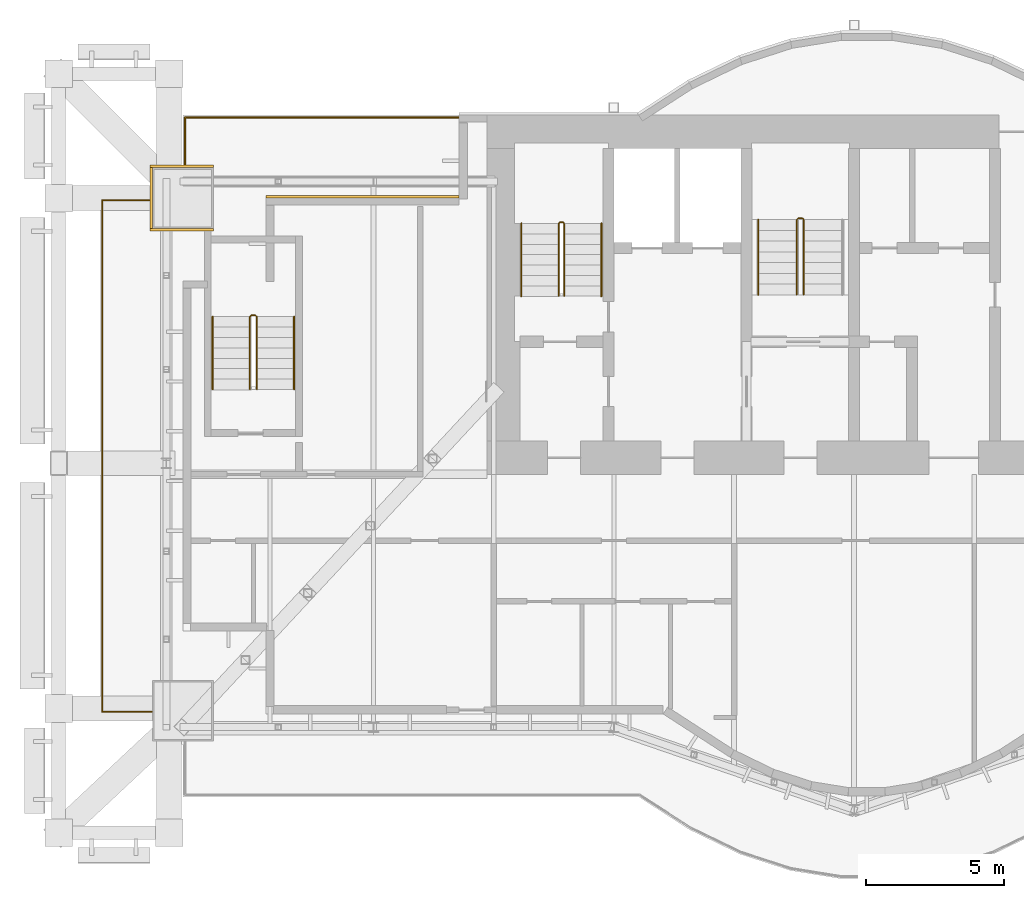
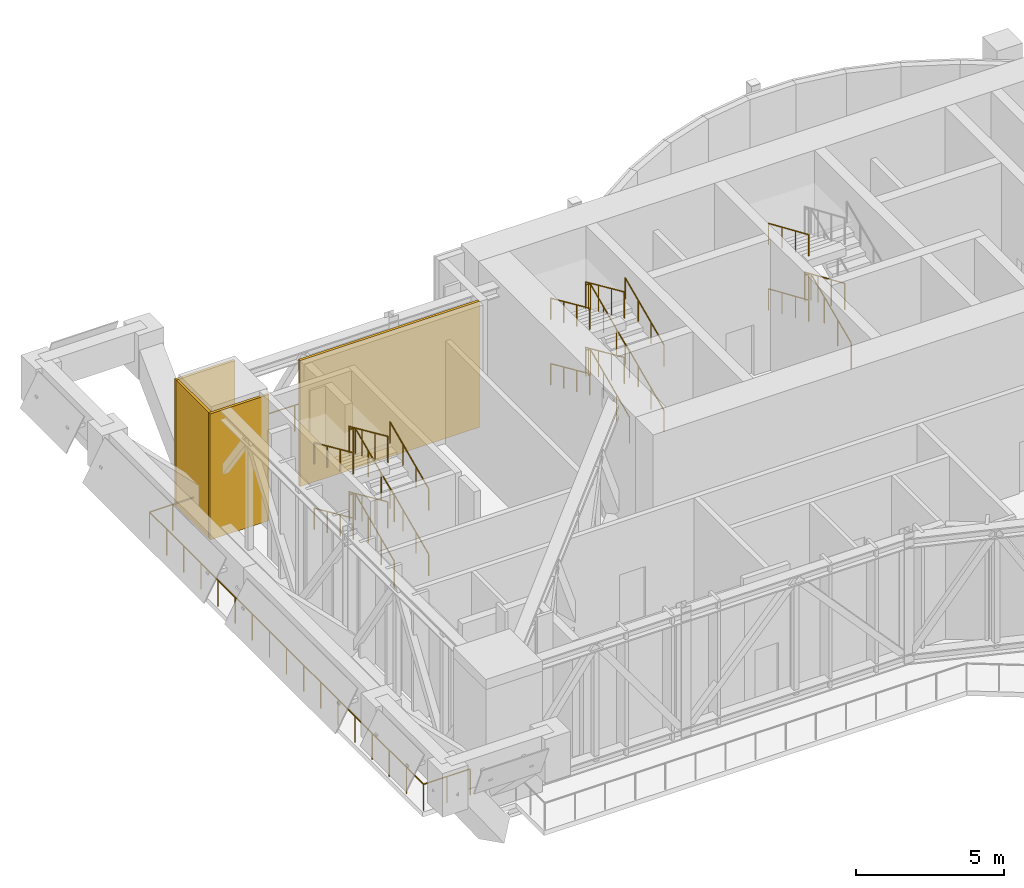
# One storey, part 18 of 20: 17 railings, 4 coverings.
"""IFC4 building model written with IfcOpenShell, lengths in metres."""

import ifcopenshell
import ifcopenshell.guid

model = None  # the IFC model being written
_history = None  # IfcOwnerHistory: only IFC2X3 demands one
_inside = {}  # id of a spatial element -> (the spatial element, [elements in it])
_under = {}  # id of a project, library or spatial element -> (it, [spatial elements below it])
_declared = {}  # id of a project -> (the project, [libraries it declares])
_typed = {}  # id of a type object -> (the type object, [elements of that type])
_made_of = {}  # id of a material, layer set ... -> (it, [elements and type objects made of it])


def new_model(schema):
    """Start an empty IFC model of exactly this schema.

    Asked for "IFC4X3", IfcOpenShell would pick the latest addendum, in which some entities
    have other attributes; the version numbers below select the first issue.
    IFC2X3 requires an IfcOwnerHistory on every rooted entity: one is made here for all.
    """
    global model, _history
    if schema == "IFC4X3":
        model = ifcopenshell.file(schema_version=(4, 3, 0, 0))
    else:
        model = ifcopenshell.file(schema=schema)
    _inside.clear()
    _under.clear()
    _declared.clear()
    _typed.clear()
    _made_of.clear()
    _history = None
    if model.schema == "IFC2X3":
        org = make("IfcOrganization", Name="unknown")
        user = make(
            "IfcPersonAndOrganization",
            ThePerson=make("IfcPerson", FamilyName="unknown"),
            TheOrganization=org,
        )
        app = make(
            "IfcApplication",
            ApplicationDeveloper=org,
            Version="unknown",
            ApplicationFullName="unknown",
            ApplicationIdentifier="unknown",
        )
        _history = make(
            "IfcOwnerHistory",
            OwningUser=user,
            OwningApplication=app,
            ChangeAction="ADDED",
            CreationDate=0,
        )
    return model


def make(cls, **values):
    """One entity of the class cls with the attributes given. An attribute that is None is left unset."""
    return model.create_entity(
        cls, **{name: value for name, value in values.items() if value is not None}
    )


def rooted(cls, **values):
    """An entity with a GlobalId (a new one), such as an element, a storey or a relation."""
    return make(cls, GlobalId=ifcopenshell.guid.new(), OwnerHistory=_history, **values)


def si_unit(unit_type, name, prefix=None):
    """IfcSIUnit, for example si_unit("LENGTHUNIT", "METRE", prefix="MILLI")."""
    return make("IfcSIUnit", UnitType=unit_type, Prefix=prefix, Name=name)


def assignment(units):
    """IfcUnitAssignment: the units of a project."""
    return None if units is None else make("IfcUnitAssignment", Units=units)


def point(xyz):
    """IfcCartesianPoint."""
    return None if xyz is None else make("IfcCartesianPoint", Coordinates=xyz)


def direction(xyz):
    """IfcDirection."""
    return None if xyz is None else make("IfcDirection", DirectionRatios=xyz)


def frame(location, z_axis=None, x_axis=None):
    """IfcAxis2Placement3D, a coordinate frame: its origin and axes. An axis left out is left unset."""
    return make(
        "IfcAxis2Placement3D",
        Location=point(location),
        Axis=direction(z_axis),
        RefDirection=direction(x_axis),
    )


def frame_2d(location, x_axis=None):
    """IfcAxis2Placement2D, a coordinate frame in the plane: its origin and x axis."""
    return make(
        "IfcAxis2Placement2D", Location=point(location), RefDirection=direction(x_axis)
    )


def origin():
    """The frame at (0, 0, 0) with its axes left unset."""
    return frame((0.0, 0.0, 0.0))


def origin_2d():
    """The frame at (0, 0) in the plane with its x axis left unset."""
    return frame_2d((0.0, 0.0))


def place(relative_to, where):
    """IfcLocalPlacement: puts the frame where relative to a parent placement (None: the world)."""
    return make(
        "IfcLocalPlacement", PlacementRelTo=relative_to, RelativePlacement=where
    )


def context(
    kind, dimensions, precision=None, world=None, true_north=None, identifier=None
):
    """IfcGeometricRepresentationContext, for example the 3D "Model" context."""
    return make(
        "IfcGeometricRepresentationContext",
        ContextIdentifier=identifier,
        ContextType=kind,
        CoordinateSpaceDimension=dimensions,
        Precision=precision,
        WorldCoordinateSystem=world,
        TrueNorth=true_north,
    )


def subcontext(parent, identifier, kind, view, scale=None):
    """IfcGeometricRepresentationSubContext, for example "Body" below "Model"."""
    return make(
        "IfcGeometricRepresentationSubContext",
        ContextIdentifier=identifier,
        ContextType=kind,
        ParentContext=parent,
        TargetScale=scale,
        TargetView=view,
    )


def project(units=None, contexts=None):
    """IfcProject with its units and contexts."""
    return rooted(
        "IfcProject",
        Name="project",
        RepresentationContexts=contexts,
        UnitsInContext=assignment(units),
    )


def spatial(cls, under=None, at=None, **own):
    """A site, building, storey or space (cls), placed at a placement, below another one or the project."""
    s = rooted(cls, ObjectPlacement=at, **own)
    if under is not None:
        _under.setdefault(under.id(), (under, []))[1].append(s)
    return s


def profile(cls, at=None, kind="AREA", **sizes):
    """A parametric profile (cls). Its sizes go by their IFC names, for example OverallWidth=200.0."""
    return make(cls, ProfileType=kind, Position=at, **sizes)


def rectangle(**sizes):
    """IfcRectangleProfileDef."""
    return profile("IfcRectangleProfileDef", **sizes)


def circle(**sizes):
    """IfcCircleProfileDef."""
    return profile("IfcCircleProfileDef", **sizes)


def extrude(swept, where, along, depth):
    """IfcExtrudedAreaSolid: the profile swept, set in the frame where, extruded along a direction by depth."""
    return make(
        "IfcExtrudedAreaSolid",
        SweptArea=swept,
        Position=where,
        ExtrudedDirection=direction(along),
        Depth=depth,
    )


def shape(context_of_items, identifier, shape_type, items):
    """IfcShapeRepresentation: the items that make up one representation, for example the "Body"."""
    return make(
        "IfcShapeRepresentation",
        ContextOfItems=context_of_items,
        RepresentationIdentifier=identifier,
        RepresentationType=shape_type,
        Items=items,
    )


def material(Name=None, Category=None):
    """IfcMaterial."""
    return make("IfcMaterial", Name=Name, Category=Category)


def layer(
    of_material, thickness, ventilated=None, Name=None, Category=None, Priority=None
):
    """IfcMaterialLayer: one layer of a wall or slab, of a material (None: an air gap)."""
    return make(
        "IfcMaterialLayer",
        Material=of_material,
        LayerThickness=thickness,
        IsVentilated=ventilated,
        Name=Name,
        Category=Category,
        Priority=Priority,
    )


def layer_set(layers, Name=None):
    """IfcMaterialLayerSet."""
    return make("IfcMaterialLayerSet", MaterialLayers=layers, LayerSetName=Name)


def made_of(thing, what):
    """Note that an element or type object is made of a material, layer set ...; save() writes the relation."""
    if what is not None:
        _made_of.setdefault(what.id(), (what, []))[1].append(thing)
    return thing


def type_object(cls, material=None, **own):
    """A type object (cls), such as IfcWallType, which elements share."""
    return made_of(rooted(cls, **own), material)


def element(
    cls,
    number,
    at=None,
    inside=None,
    cuts=None,
    type_object=None,
    material=None,
    context=None,
    identifier="Body",
    shape_type=None,
    held_by="IfcProductDefinitionShape",
    body=None,
    shapes=None,
    **own,
):
    """One element of the class cls, such as IfcWall. Its Tag is "e" and its number.

    at: its placement. inside: the storey or other place that contains it. cuts: it is an
    opening in that element (IfcRelVoidsElement). A single representation is given by context,
    identifier, shape_type and body (its items); several are given by shapes. held_by: the class
    of the entity that holds the representations. save() writes the other relations.
    """
    e = rooted(cls, Tag="e%d" % number, ObjectPlacement=at, **own)
    if body is not None:
        shapes = [shape(context, identifier, shape_type, body)]
    if shapes is not None:
        e.Representation = make(held_by, Representations=shapes)
    if inside is not None:
        _inside.setdefault(inside.id(), (inside, []))[1].append(e)
    if cuts is not None:
        rooted(
            "IfcRelVoidsElement", RelatingBuildingElement=cuts, RelatedOpeningElement=e
        )
    if type_object is not None:
        _typed.setdefault(type_object.id(), (type_object, []))[1].append(e)
    return made_of(e, material)


def aggregate(whole, parts):
    """IfcRelAggregates: a whole, such as a stair, and the parts it consists of."""
    return rooted("IfcRelAggregates", RelatingObject=whole, RelatedObjects=parts)


def save(model, path):
    """Write the relations noted so far, then the file.

    IfcRelAggregates (storeys below a building ...), IfcRelContainedInSpatialStructure (elements
    in a storey), IfcRelDefinesByType, IfcRelAssociatesMaterial and IfcRelDeclares: one each for
    every whole, place, type object, material and project.
    """
    for whole, parts in _under.values():
        aggregate(whole, parts)
    for where, things in _inside.values():
        rooted(
            "IfcRelContainedInSpatialStructure",
            RelatedElements=things,
            RelatingStructure=where,
        )
    for kind, things in _typed.values():
        rooted("IfcRelDefinesByType", RelatedObjects=things, RelatingType=kind)
    for what, things in _made_of.values():
        rooted("IfcRelAssociatesMaterial", RelatedObjects=things, RelatingMaterial=what)
    for by, libraries in _declared.values():
        rooted("IfcRelDeclares", RelatingContext=by, RelatedDefinitions=libraries)
    model.write(path)


model = new_model("IFC4")

# Units and contexts
model_context = context("Model", 3, precision=1e-05, world=origin(), true_north=direction((0.0, 1.0)))
body_context = subcontext(model_context, "Body", "Model", "MODEL_VIEW")
ifc_project = project(units=[si_unit("LENGTHUNIT", "METRE"), si_unit("AREAUNIT", "SQUARE_METRE"), si_unit("VOLUMEUNIT", "CUBIC_METRE"), si_unit("PLANEANGLEUNIT", "RADIAN"), si_unit("MASSUNIT", "GRAM", prefix="KILO")], contexts=[model_context])

# Site, building, storey
site_placement = place(None, origin())
site = spatial("IfcSite", under=ifc_project, at=site_placement, CompositionType="ELEMENT")
building_placement = place(site_placement, origin())
building = spatial("IfcBuilding", under=site, at=building_placement, Name="Bicima Exchange Tower", CompositionType="ELEMENT")
storey_placement = place(building_placement, frame((0.0, 0.0, 342.5)))
storey = spatial("IfcBuildingStorey", under=building, at=storey_placement, Name="L77", CompositionType="ELEMENT", Elevation=342.5)

# Coverings
ifc_material_1 = material(Name="Bronze metal cladding")
ifc_layer_1 = layer(ifc_material_1, 0.004)
ifc_material_2 = material(Name="Ventilated cavity")
ifc_layer_2 = layer(ifc_material_2, 0.06)
ifc_material_3 = material(Name="Galvanised steel rail and mineral wool", Category="steel")
ifc_layer_3 = layer(ifc_material_3, 0.036)
ifc_layer_set = layer_set([ifc_layer_1, ifc_layer_2, ifc_layer_3], Name="Ventilated cavity")
covering_type = type_object("IfcCoveringType", Name="Bronze metal cladding panel 100", PredefinedType="CLADDING", material=ifc_layer_set)
covering_1_placement = place(storey_placement, frame((-26.5, -2.949951171875, 0.0), z_axis=(0.0, 0.0, 1.0), x_axis=(-1.0, 0.0, 0.0)))
element("IfcCovering", 1, at=covering_1_placement, inside=storey, type_object=covering_type, Name="Bronze cladding L77 27.1", PredefinedType="CLADDING", context=body_context, shape_type="SweptSolid", body=[
    extrude(rectangle(XDim=7.0, YDim=0.10009765625, at=origin_2d()), origin(), (0.0, 0.0, 1.0), 5.199951171875),
])
for number, where, z_axis, x_axis, name in (
    (2, (-33.050048828125, -1.85009765625, 0.0), (0.0, 0.0, 1.0), (1.0, 0.0, 0.0), "Column cladding L77 1N"),
    (3, (-33.050048828125, -4.14990234375, 0.0), (0.0, 0.0, 1.0), (1.0, 0.0, 0.0), "Column cladding L77 1S"),
):
    element("IfcCovering", number, at=place(storey_placement, frame(where, z_axis=z_axis, x_axis=x_axis)), inside=storey, type_object=covering_type, Name=name, PredefinedType="CLADDING", context=body_context, shape_type="SweptSolid", body=[
        extrude(rectangle(XDim=2.300048828125, YDim=0.10009765625, at=origin_2d()), origin(), (0.0, 0.0, 1.0), 5.199951171875),
    ])
covering_2_placement = place(storey_placement, frame((-34.14990234375, -3.0, 0.0), z_axis=(0.0, 0.0, 1.0), x_axis=(1.0, 0.0, 0.0)))
element("IfcCovering", 4, at=covering_2_placement, inside=storey, type_object=covering_type, Name="Column cladding L77 1O", PredefinedType="CLADDING", context=body_context, shape_type="SweptSolid", body=[
    extrude(rectangle(XDim=0.10009765625, YDim=2.199951171875, at=origin_2d()), origin(), (0.0, 0.0, 1.0), 5.199951171875),
])

# Railings
ifc_material_4 = material(Name="Stainless steel", Category="steel")
railing_type_1 = type_object("IfcRailingType", Name="Stair guard 1100", PredefinedType="GUARDRAIL", material=ifc_material_4)
railing_1_placement = place(storey_placement, frame((-19.199951171875, -6.550048828125, 0.168701171875)))
element("IfcRailing", 5, at=railing_1_placement, inside=storey, type_object=railing_type_1, Name="L77 ST-W stair guard 1", PredefinedType="GUARDRAIL", context=body_context, shape_type="SweptSolid", body=[
    extrude(circle(Radius=0.02392578125, at=origin_2d()), frame((0.0, 0.0, 1.076171875), z_axis=(0.0, 0.912201722539, 0.409741403079), x_axis=(-1.0, 0.0, 0.0)), (0.0, 0.0, 1.0), 2.88330078125),
    extrude(circle(Radius=0.02392578125, at=origin_2d()), frame((0.0, 2.630126953125, 2.25732421875), z_axis=(-0.708833529934, 0.705375805398, 0.0), x_axis=(-0.705375805398, -0.708833529934, 0.0)), (0.0, 0.0, 1.0), 0.070556640625),
    extrude(circle(Radius=0.02392578125, at=origin_2d()), frame((-0.050048828125, 2.679931640625, 2.25732421875), z_axis=(-1.0, 0.0, 0.0), x_axis=(0.0, -1.0, 0.0)), (0.0, 0.0, 1.0), 0.10009765625),
    extrude(circle(Radius=0.02392578125, at=origin_2d()), frame((-0.150146484375, 2.679931640625, 2.25732421875), z_axis=(-0.272433089069, -0.272433089069, 0.922800316407), x_axis=(0.707106781187, -0.707106781187, 0.0)), (0.0, 0.0, 1.0), 0.182861328125),
    extrude(circle(Radius=0.02392578125, at=origin_2d()), frame((-0.199951171875, 2.630126953125, 2.42626953125), z_axis=(0.0, -0.912233369549, 0.409670940488), x_axis=(1.0, 0.0, 0.0)), (0.0, 0.0, 1.0), 2.883056640625),
    extrude(circle(Radius=0.02099609375, at=origin_2d()), origin(), (0.0, 0.0, 1.0), 1.052001953125),
    extrude(circle(Radius=0.02099609375, at=origin_2d()), frame((0.0, 0.876708984375, 0.393798828125)), (0.0, 0.0, 1.0), 1.052001953125),
    extrude(circle(Radius=0.02099609375, at=origin_2d()), frame((0.0, 1.75341796875, 0.78759765625)), (0.0, 0.0, 1.0), 1.052001953125),
    extrude(circle(Radius=0.02099609375, at=origin_2d()), frame((0.0, 2.630126953125, 1.181396484375)), (0.0, 0.0, 1.0), 1.052001953125),
    extrude(circle(Radius=0.02099609375, at=origin_2d()), frame((-0.050048828125, 2.679931640625, 1.181396484375)), (0.0, 0.0, 1.0), 1.052001953125),
    extrude(circle(Radius=0.02099609375, at=origin_2d()), frame((-0.150146484375, 2.679931640625, 1.181396484375)), (0.0, 0.0, 1.0), 1.052001953125),
    extrude(circle(Radius=0.02099609375, at=origin_2d()), frame((-0.199951171875, 2.630126953125, 1.35009765625)), (0.0, 0.0, 1.0), 1.052001953125),
    extrude(circle(Radius=0.02099609375, at=origin_2d()), frame((-0.199951171875, 1.75341796875, 1.743896484375)), (0.0, 0.0, 1.0), 1.052001953125),
    extrude(circle(Radius=0.02099609375, at=origin_2d()), frame((-0.199951171875, 0.876708984375, 2.137451171875)), (0.0, 0.0, 1.0), 1.052001953125),
    extrude(circle(Radius=0.02099609375, at=origin_2d()), frame((-0.199951171875, 0.0, 2.53125)), (0.0, 0.0, 1.0), 1.052001953125),
])
railing_2_placement = place(storey_placement, frame((-19.199951171875, -6.550048828125, 2.86865234375)))
element("IfcRailing", 6, at=railing_2_placement, inside=storey, type_object=railing_type_1, Name="L77 ST-W stair guard 2", PredefinedType="GUARDRAIL", context=body_context, shape_type="SweptSolid", body=[
    extrude(circle(Radius=0.02392578125, at=origin_2d()), frame((0.0, 0.0, 1.076171875), z_axis=(0.0, 0.912201722539, 0.409741403079), x_axis=(-1.0, 0.0, 0.0)), (0.0, 0.0, 1.0), 2.88330078125),
    extrude(circle(Radius=0.02392578125, at=origin_2d()), frame((0.0, 2.630126953125, 2.25732421875), z_axis=(-0.708833529934, 0.705375805398, 0.0), x_axis=(-0.705375805398, -0.708833529934, 0.0)), (0.0, 0.0, 1.0), 0.070556640625),
    extrude(circle(Radius=0.02392578125, at=origin_2d()), frame((-0.050048828125, 2.679931640625, 2.25732421875), z_axis=(-1.0, 0.0, 0.0), x_axis=(0.0, -1.0, 0.0)), (0.0, 0.0, 1.0), 0.10009765625),
    extrude(circle(Radius=0.02392578125, at=origin_2d()), frame((-0.150146484375, 2.679931640625, 2.25732421875), z_axis=(-0.272433089069, -0.272433089069, 0.922800316407), x_axis=(0.707106781187, -0.707106781187, 0.0)), (0.0, 0.0, 1.0), 0.182861328125),
    extrude(circle(Radius=0.02392578125, at=origin_2d()), frame((-0.199951171875, 2.630126953125, 2.42626953125), z_axis=(0.0, -0.912233369549, 0.409670940488), x_axis=(1.0, 0.0, 0.0)), (0.0, 0.0, 1.0), 2.883056640625),
    extrude(circle(Radius=0.02099609375, at=origin_2d()), origin(), (0.0, 0.0, 1.0), 1.052001953125),
    extrude(circle(Radius=0.02099609375, at=origin_2d()), frame((0.0, 0.876708984375, 0.393798828125)), (0.0, 0.0, 1.0), 1.052001953125),
    extrude(circle(Radius=0.02099609375, at=origin_2d()), frame((0.0, 1.75341796875, 0.78759765625)), (0.0, 0.0, 1.0), 1.052001953125),
    extrude(circle(Radius=0.02099609375, at=origin_2d()), frame((0.0, 2.630126953125, 1.181396484375)), (0.0, 0.0, 1.0), 1.052001953125),
    extrude(circle(Radius=0.02099609375, at=origin_2d()), frame((-0.050048828125, 2.679931640625, 1.181396484375)), (0.0, 0.0, 1.0), 1.052001953125),
    extrude(circle(Radius=0.02099609375, at=origin_2d()), frame((-0.150146484375, 2.679931640625, 1.181396484375)), (0.0, 0.0, 1.0), 1.052001953125),
    extrude(circle(Radius=0.02099609375, at=origin_2d()), frame((-0.199951171875, 2.630126953125, 1.35009765625)), (0.0, 0.0, 1.0), 1.052001953125),
    extrude(circle(Radius=0.02099609375, at=origin_2d()), frame((-0.199951171875, 1.75341796875, 1.743896484375)), (0.0, 0.0, 1.0), 1.052001953125),
    extrude(circle(Radius=0.02099609375, at=origin_2d()), frame((-0.199951171875, 0.876708984375, 2.137451171875)), (0.0, 0.0, 1.0), 1.052001953125),
    extrude(circle(Radius=0.02099609375, at=origin_2d()), frame((-0.199951171875, 0.0, 2.53125)), (0.0, 0.0, 1.0), 1.052001953125),
])
railing_3_placement = place(storey_placement, frame((-10.52490234375, -6.5, 0.168701171875)))
element("IfcRailing", 7, at=railing_3_placement, inside=storey, type_object=railing_type_1, Name="L77 ST-CR stair guard 1", PredefinedType="GUARDRAIL", context=body_context, shape_type="SweptSolid", body=[
    extrude(circle(Radius=0.02392578125, at=origin_2d()), frame((0.0, 0.0, 1.076171875), z_axis=(0.0, 0.917217895875, 0.398385907741), x_axis=(-1.0, 0.0, 0.0)), (0.0, 0.0, 1.0), 2.965576171875),
    extrude(circle(Radius=0.02392578125, at=origin_2d()), frame((0.0, 2.719970703125, 2.25732421875), z_axis=(-0.707106781187, 0.707106781187, 0.0), x_axis=(-0.707106781187, -0.707106781187, 0.0)), (0.0, 0.0, 1.0), 0.07080078125),
    extrude(circle(Radius=0.02392578125, at=origin_2d()), frame((-0.050048828125, 2.77001953125, 2.25732421875), z_axis=(-1.0, 0.0, 0.0), x_axis=(0.0, -1.0, 0.0)), (0.0, 0.0, 1.0), 0.150146484375),
    extrude(circle(Radius=0.02392578125, at=origin_2d()), frame((-0.2001953125, 2.77001953125, 2.25732421875), z_axis=(-0.272333783174, -0.273668752699, 0.922463942026), x_axis=(0.708833529934, -0.705375805398, 0.0)), (0.0, 0.0, 1.0), 0.182861328125),
    extrude(circle(Radius=0.02392578125, at=origin_2d()), frame((-0.25, 2.719970703125, 2.42626953125), z_axis=(0.0, -0.917247977502, 0.398316642595), x_axis=(1.0, 0.0, 0.0)), (0.0, 0.0, 1.0), 2.96533203125),
    extrude(circle(Radius=0.02099609375, at=origin_2d()), origin(), (0.0, 0.0, 1.0), 1.052001953125),
    extrude(circle(Radius=0.02099609375, at=origin_2d()), frame((0.0, 0.90673828125, 0.393798828125)), (0.0, 0.0, 1.0), 1.052001953125),
    extrude(circle(Radius=0.02099609375, at=origin_2d()), frame((0.0, 1.813232421875, 0.78759765625)), (0.0, 0.0, 1.0), 1.052001953125),
    extrude(circle(Radius=0.02099609375, at=origin_2d()), frame((0.0, 2.719970703125, 1.181396484375)), (0.0, 0.0, 1.0), 1.052001953125),
    extrude(circle(Radius=0.02099609375, at=origin_2d()), frame((-0.050048828125, 2.77001953125, 1.181396484375)), (0.0, 0.0, 1.0), 1.052001953125),
    extrude(circle(Radius=0.02099609375, at=origin_2d()), frame((-0.2001953125, 2.77001953125, 1.181396484375)), (0.0, 0.0, 1.0), 1.052001953125),
    extrude(circle(Radius=0.02099609375, at=origin_2d()), frame((-0.25, 2.719970703125, 1.35009765625)), (0.0, 0.0, 1.0), 1.052001953125),
    extrude(circle(Radius=0.02099609375, at=origin_2d()), frame((-0.25, 1.813232421875, 1.743896484375)), (0.0, 0.0, 1.0), 1.052001953125),
    extrude(circle(Radius=0.02099609375, at=origin_2d()), frame((-0.25, 0.90673828125, 2.137451171875)), (0.0, 0.0, 1.0), 1.052001953125),
    extrude(circle(Radius=0.02099609375, at=origin_2d()), frame((-0.25, 0.0, 2.53125)), (0.0, 0.0, 1.0), 1.052001953125),
])
railing_4_placement = place(storey_placement, frame((-30.324951171875, -9.925048828125, 0.168701171875)))
element("IfcRailing", 8, at=railing_4_placement, inside=storey, type_object=railing_type_1, Name="L77 ST-WW stair guard 1", PredefinedType="GUARDRAIL", context=body_context, shape_type="SweptSolid", body=[
    extrude(circle(Radius=0.02392578125, at=origin_2d()), frame((0.0, 0.0, 1.076171875), z_axis=(0.0, 0.912201722539, 0.409741403079), x_axis=(-1.0, 0.0, 0.0)), (0.0, 0.0, 1.0), 2.88330078125),
    extrude(circle(Radius=0.02392578125, at=origin_2d()), frame((0.0, 2.630126953125, 2.25732421875), z_axis=(-0.708833529934, 0.705375805398, 0.0), x_axis=(-0.705375805398, -0.708833529934, 0.0)), (0.0, 0.0, 1.0), 0.070556640625),
    extrude(circle(Radius=0.02392578125, at=origin_2d()), frame((-0.050048828125, 2.679931640625, 2.25732421875), z_axis=(-1.0, 0.0, 0.0), x_axis=(0.0, -1.0, 0.0)), (0.0, 0.0, 1.0), 0.14990234375),
    extrude(circle(Radius=0.02392578125, at=origin_2d()), frame((-0.199951171875, 2.679931640625, 2.25732421875), z_axis=(-0.273668752699, -0.272333783174, 0.922463942026), x_axis=(0.705375805398, -0.708833529934, 0.0)), (0.0, 0.0, 1.0), 0.182861328125),
    extrude(circle(Radius=0.02392578125, at=origin_2d()), frame((-0.25, 2.630126953125, 2.42626953125), z_axis=(0.0, -0.912233369549, 0.409670940488), x_axis=(1.0, 0.0, 0.0)), (0.0, 0.0, 1.0), 2.883056640625),
    extrude(circle(Radius=0.02099609375, at=origin_2d()), origin(), (0.0, 0.0, 1.0), 1.052001953125),
    extrude(circle(Radius=0.02099609375, at=origin_2d()), frame((0.0, 0.876708984375, 0.393798828125)), (0.0, 0.0, 1.0), 1.052001953125),
    extrude(circle(Radius=0.02099609375, at=origin_2d()), frame((0.0, 1.75341796875, 0.78759765625)), (0.0, 0.0, 1.0), 1.052001953125),
    extrude(circle(Radius=0.02099609375, at=origin_2d()), frame((0.0, 2.630126953125, 1.181396484375)), (0.0, 0.0, 1.0), 1.052001953125),
    extrude(circle(Radius=0.02099609375, at=origin_2d()), frame((-0.050048828125, 2.679931640625, 1.181396484375)), (0.0, 0.0, 1.0), 1.052001953125),
    extrude(circle(Radius=0.02099609375, at=origin_2d()), frame((-0.199951171875, 2.679931640625, 1.181396484375)), (0.0, 0.0, 1.0), 1.052001953125),
    extrude(circle(Radius=0.02099609375, at=origin_2d()), frame((-0.25, 2.630126953125, 1.35009765625)), (0.0, 0.0, 1.0), 1.052001953125),
    extrude(circle(Radius=0.02099609375, at=origin_2d()), frame((-0.25, 1.75341796875, 1.743896484375)), (0.0, 0.0, 1.0), 1.052001953125),
    extrude(circle(Radius=0.02099609375, at=origin_2d()), frame((-0.25, 0.876708984375, 2.137451171875)), (0.0, 0.0, 1.0), 1.052001953125),
    extrude(circle(Radius=0.02099609375, at=origin_2d()), frame((-0.25, 0.0, 2.53125)), (0.0, 0.0, 1.0), 1.052001953125),
])
railing_5_placement = place(storey_placement, frame((-30.324951171875, -9.925048828125, 2.86865234375)))
element("IfcRailing", 9, at=railing_5_placement, inside=storey, type_object=railing_type_1, Name="L77 ST-WW stair guard 2", PredefinedType="GUARDRAIL", context=body_context, shape_type="SweptSolid", body=[
    extrude(circle(Radius=0.02392578125, at=origin_2d()), frame((0.0, 0.0, 1.076171875), z_axis=(0.0, 0.912201722539, 0.409741403079), x_axis=(-1.0, 0.0, 0.0)), (0.0, 0.0, 1.0), 2.88330078125),
    extrude(circle(Radius=0.02392578125, at=origin_2d()), frame((0.0, 2.630126953125, 2.25732421875), z_axis=(-0.708833529934, 0.705375805398, 0.0), x_axis=(-0.705375805398, -0.708833529934, 0.0)), (0.0, 0.0, 1.0), 0.070556640625),
    extrude(circle(Radius=0.02392578125, at=origin_2d()), frame((-0.050048828125, 2.679931640625, 2.25732421875), z_axis=(-1.0, 0.0, 0.0), x_axis=(0.0, -1.0, 0.0)), (0.0, 0.0, 1.0), 0.14990234375),
    extrude(circle(Radius=0.02392578125, at=origin_2d()), frame((-0.199951171875, 2.679931640625, 2.25732421875), z_axis=(-0.273668752699, -0.272333783174, 0.922463942026), x_axis=(0.705375805398, -0.708833529934, 0.0)), (0.0, 0.0, 1.0), 0.182861328125),
    extrude(circle(Radius=0.02392578125, at=origin_2d()), frame((-0.25, 2.630126953125, 2.42626953125), z_axis=(0.0, -0.912233369549, 0.409670940488), x_axis=(1.0, 0.0, 0.0)), (0.0, 0.0, 1.0), 2.883056640625),
    extrude(circle(Radius=0.02099609375, at=origin_2d()), origin(), (0.0, 0.0, 1.0), 1.052001953125),
    extrude(circle(Radius=0.02099609375, at=origin_2d()), frame((0.0, 0.876708984375, 0.393798828125)), (0.0, 0.0, 1.0), 1.052001953125),
    extrude(circle(Radius=0.02099609375, at=origin_2d()), frame((0.0, 1.75341796875, 0.78759765625)), (0.0, 0.0, 1.0), 1.052001953125),
    extrude(circle(Radius=0.02099609375, at=origin_2d()), frame((0.0, 2.630126953125, 1.181396484375)), (0.0, 0.0, 1.0), 1.052001953125),
    extrude(circle(Radius=0.02099609375, at=origin_2d()), frame((-0.050048828125, 2.679931640625, 1.181396484375)), (0.0, 0.0, 1.0), 1.052001953125),
    extrude(circle(Radius=0.02099609375, at=origin_2d()), frame((-0.199951171875, 2.679931640625, 1.181396484375)), (0.0, 0.0, 1.0), 1.052001953125),
    extrude(circle(Radius=0.02099609375, at=origin_2d()), frame((-0.25, 2.630126953125, 1.35009765625)), (0.0, 0.0, 1.0), 1.052001953125),
    extrude(circle(Radius=0.02099609375, at=origin_2d()), frame((-0.25, 1.75341796875, 1.743896484375)), (0.0, 0.0, 1.0), 1.052001953125),
    extrude(circle(Radius=0.02099609375, at=origin_2d()), frame((-0.25, 0.876708984375, 2.137451171875)), (0.0, 0.0, 1.0), 1.052001953125),
    extrude(circle(Radius=0.02099609375, at=origin_2d()), frame((-0.25, 0.0, 2.53125)), (0.0, 0.0, 1.0), 1.052001953125),
])
railing_type_2 = type_object("IfcRailingType", Name="Stair handrail 900", PredefinedType="HANDRAIL", material=ifc_material_4)
railing_6_placement = place(storey_placement, frame((-17.85009765625, -6.550048828125, 0.168701171875)))
element("IfcRailing", 10, at=railing_6_placement, inside=storey, type_object=railing_type_2, Name="L77 ST-W stair handrail 1", PredefinedType="HANDRAIL", context=body_context, shape_type="SweptSolid", body=[
    extrude(circle(Radius=0.02392578125, at=origin_2d()), frame((0.0, 0.0, 0.8759765625), z_axis=(0.0, 0.912201722539, 0.409741403079), x_axis=(-1.0, 0.0, 0.0)), (0.0, 0.0, 1.0), 2.88330078125),
    extrude(circle(Radius=0.02099609375, at=origin_2d()), origin(), (0.0, 0.0, 1.0), 0.851806640625),
    extrude(circle(Radius=0.02099609375, at=origin_2d()), frame((0.0, 0.876708984375, 0.393798828125)), (0.0, 0.0, 1.0), 0.851806640625),
    extrude(circle(Radius=0.02099609375, at=origin_2d()), frame((0.0, 1.75341796875, 0.78759765625)), (0.0, 0.0, 1.0), 0.851806640625),
    extrude(circle(Radius=0.02099609375, at=origin_2d()), frame((0.0, 2.630126953125, 1.181396484375)), (0.0, 0.0, 1.0), 0.851806640625),
])
railing_7_placement = place(storey_placement, frame((-20.75, -3.919921875, 1.518798828125)))
element("IfcRailing", 11, at=railing_7_placement, inside=storey, type_object=railing_type_2, Name="L77 ST-W stair handrail 2", PredefinedType="HANDRAIL", context=body_context, shape_type="SweptSolid", body=[
    extrude(circle(Radius=0.02392578125, at=origin_2d()), frame((0.0, 0.0, 0.8759765625), z_axis=(0.0, -0.912233369549, 0.409670940488), x_axis=(1.0, 0.0, 0.0)), (0.0, 0.0, 1.0), 2.883056640625),
    extrude(circle(Radius=0.02099609375, at=origin_2d()), origin(), (0.0, 0.0, 1.0), 0.851806640625),
    extrude(circle(Radius=0.02099609375, at=origin_2d()), frame((0.0, -0.876708984375, 0.393798828125)), (0.0, 0.0, 1.0), 0.851806640625),
    extrude(circle(Radius=0.02099609375, at=origin_2d()), frame((0.0, -1.75341796875, 0.787353515625)), (0.0, 0.0, 1.0), 0.851806640625),
    extrude(circle(Radius=0.02099609375, at=origin_2d()), frame((0.0, -2.630126953125, 1.18115234375)), (0.0, 0.0, 1.0), 0.851806640625),
])
railing_8_placement = place(storey_placement, frame((-17.85009765625, -6.550048828125, 2.86865234375)))
element("IfcRailing", 12, at=railing_8_placement, inside=storey, type_object=railing_type_2, Name="L77 ST-W stair handrail 3", PredefinedType="HANDRAIL", context=body_context, shape_type="SweptSolid", body=[
    extrude(circle(Radius=0.02392578125, at=origin_2d()), frame((0.0, 0.0, 0.8759765625), z_axis=(0.0, 0.912201722539, 0.409741403079), x_axis=(-1.0, 0.0, 0.0)), (0.0, 0.0, 1.0), 2.88330078125),
    extrude(circle(Radius=0.02099609375, at=origin_2d()), origin(), (0.0, 0.0, 1.0), 0.851806640625),
    extrude(circle(Radius=0.02099609375, at=origin_2d()), frame((0.0, 0.876708984375, 0.393798828125)), (0.0, 0.0, 1.0), 0.851806640625),
    extrude(circle(Radius=0.02099609375, at=origin_2d()), frame((0.0, 1.75341796875, 0.78759765625)), (0.0, 0.0, 1.0), 0.851806640625),
    extrude(circle(Radius=0.02099609375, at=origin_2d()), frame((0.0, 2.630126953125, 1.181396484375)), (0.0, 0.0, 1.0), 0.851806640625),
])
railing_9_placement = place(storey_placement, frame((-20.75, -3.919921875, 4.21875)))
element("IfcRailing", 13, at=railing_9_placement, inside=storey, type_object=railing_type_2, Name="L77 ST-W stair handrail 4", PredefinedType="HANDRAIL", context=body_context, shape_type="SweptSolid", body=[
    extrude(circle(Radius=0.02392578125, at=origin_2d()), frame((0.0, 0.0, 0.8759765625), z_axis=(0.0, -0.912233369549, 0.409670940488), x_axis=(1.0, 0.0, 0.0)), (0.0, 0.0, 1.0), 2.883056640625),
    extrude(circle(Radius=0.02099609375, at=origin_2d()), origin(), (0.0, 0.0, 1.0), 0.851806640625),
    extrude(circle(Radius=0.02099609375, at=origin_2d()), frame((0.0, -0.876708984375, 0.393798828125)), (0.0, 0.0, 1.0), 0.851806640625),
    extrude(circle(Radius=0.02099609375, at=origin_2d()), frame((0.0, -1.75341796875, 0.787353515625)), (0.0, 0.0, 1.0), 0.851806640625),
    extrude(circle(Radius=0.02099609375, at=origin_2d()), frame((0.0, -2.630126953125, 1.18115234375)), (0.0, 0.0, 1.0), 0.851806640625),
])
for number, where, name in (
    (14, (-12.175048828125, -3.780029296875, 1.518798828125), "L77 ST-CR stair handrail 2"),
    (15, (-12.175048828125, -3.780029296875, 4.21875), "L77 ST-CR stair handrail 4"),
):
    element("IfcRailing", number, at=place(storey_placement, frame(where)), inside=storey, type_object=railing_type_2, Name=name, PredefinedType="HANDRAIL", context=body_context, shape_type="SweptSolid", body=[
        extrude(circle(Radius=0.02392578125, at=origin_2d()), frame((0.0, 0.0, 0.8759765625), z_axis=(0.0, -0.917247977502, 0.398316642595), x_axis=(1.0, 0.0, 0.0)), (0.0, 0.0, 1.0), 2.96533203125),
        extrude(circle(Radius=0.02099609375, at=origin_2d()), origin(), (0.0, 0.0, 1.0), 0.851806640625),
        extrude(circle(Radius=0.02099609375, at=origin_2d()), frame((0.0, -0.90673828125, 0.393798828125)), (0.0, 0.0, 1.0), 0.851806640625),
        extrude(circle(Radius=0.02099609375, at=origin_2d()), frame((0.0, -1.813232421875, 0.787353515625)), (0.0, 0.0, 1.0), 0.851806640625),
        extrude(circle(Radius=0.02099609375, at=origin_2d()), frame((0.0, -2.719970703125, 1.18115234375)), (0.0, 0.0, 1.0), 0.851806640625),
    ])
railing_10_placement = place(storey_placement, frame((-28.97509765625, -9.925048828125, 0.168701171875)))
element("IfcRailing", 16, at=railing_10_placement, inside=storey, type_object=railing_type_2, Name="L77 ST-WW stair handrail 1", PredefinedType="HANDRAIL", context=body_context, shape_type="SweptSolid", body=[
    extrude(circle(Radius=0.02392578125, at=origin_2d()), frame((0.0, 0.0, 0.8759765625), z_axis=(0.0, 0.912201722539, 0.409741403079), x_axis=(-1.0, 0.0, 0.0)), (0.0, 0.0, 1.0), 2.88330078125),
    extrude(circle(Radius=0.02099609375, at=origin_2d()), origin(), (0.0, 0.0, 1.0), 0.851806640625),
    extrude(circle(Radius=0.02099609375, at=origin_2d()), frame((0.0, 0.876708984375, 0.393798828125)), (0.0, 0.0, 1.0), 0.851806640625),
    extrude(circle(Radius=0.02099609375, at=origin_2d()), frame((0.0, 1.75341796875, 0.78759765625)), (0.0, 0.0, 1.0), 0.851806640625),
    extrude(circle(Radius=0.02099609375, at=origin_2d()), frame((0.0, 2.630126953125, 1.181396484375)), (0.0, 0.0, 1.0), 0.851806640625),
])
railing_11_placement = place(storey_placement, frame((-31.925048828125, -7.294921875, 1.518798828125)))
element("IfcRailing", 17, at=railing_11_placement, inside=storey, type_object=railing_type_2, Name="L77 ST-WW stair handrail 2", PredefinedType="HANDRAIL", context=body_context, shape_type="SweptSolid", body=[
    extrude(circle(Radius=0.02392578125, at=origin_2d()), frame((0.0, 0.0, 0.8759765625), z_axis=(0.0, -0.912233369549, 0.409670940488), x_axis=(1.0, 0.0, 0.0)), (0.0, 0.0, 1.0), 2.883056640625),
    extrude(circle(Radius=0.02099609375, at=origin_2d()), origin(), (0.0, 0.0, 1.0), 0.851806640625),
    extrude(circle(Radius=0.02099609375, at=origin_2d()), frame((0.0, -0.876708984375, 0.393798828125)), (0.0, 0.0, 1.0), 0.851806640625),
    extrude(circle(Radius=0.02099609375, at=origin_2d()), frame((0.0, -1.75341796875, 0.787353515625)), (0.0, 0.0, 1.0), 0.851806640625),
    extrude(circle(Radius=0.02099609375, at=origin_2d()), frame((0.0, -2.630126953125, 1.18115234375)), (0.0, 0.0, 1.0), 0.851806640625),
])
railing_12_placement = place(storey_placement, frame((-28.97509765625, -9.925048828125, 2.86865234375)))
element("IfcRailing", 18, at=railing_12_placement, inside=storey, type_object=railing_type_2, Name="L77 ST-WW stair handrail 3", PredefinedType="HANDRAIL", context=body_context, shape_type="SweptSolid", body=[
    extrude(circle(Radius=0.02392578125, at=origin_2d()), frame((0.0, 0.0, 0.8759765625), z_axis=(0.0, 0.912201722539, 0.409741403079), x_axis=(-1.0, 0.0, 0.0)), (0.0, 0.0, 1.0), 2.88330078125),
    extrude(circle(Radius=0.02099609375, at=origin_2d()), origin(), (0.0, 0.0, 1.0), 0.851806640625),
    extrude(circle(Radius=0.02099609375, at=origin_2d()), frame((0.0, 0.876708984375, 0.393798828125)), (0.0, 0.0, 1.0), 0.851806640625),
    extrude(circle(Radius=0.02099609375, at=origin_2d()), frame((0.0, 1.75341796875, 0.78759765625)), (0.0, 0.0, 1.0), 0.851806640625),
    extrude(circle(Radius=0.02099609375, at=origin_2d()), frame((0.0, 2.630126953125, 1.181396484375)), (0.0, 0.0, 1.0), 0.851806640625),
])
railing_13_placement = place(storey_placement, frame((-31.925048828125, -7.294921875, 4.21875)))
element("IfcRailing", 19, at=railing_13_placement, inside=storey, type_object=railing_type_2, Name="L77 ST-WW stair handrail 4", PredefinedType="HANDRAIL", context=body_context, shape_type="SweptSolid", body=[
    extrude(circle(Radius=0.02392578125, at=origin_2d()), frame((0.0, 0.0, 0.8759765625), z_axis=(0.0, -0.912233369549, 0.409670940488), x_axis=(1.0, 0.0, 0.0)), (0.0, 0.0, 1.0), 2.883056640625),
    extrude(circle(Radius=0.02099609375, at=origin_2d()), origin(), (0.0, 0.0, 1.0), 0.851806640625),
    extrude(circle(Radius=0.02099609375, at=origin_2d()), frame((0.0, -0.876708984375, 0.393798828125)), (0.0, 0.0, 1.0), 0.851806640625),
    extrude(circle(Radius=0.02099609375, at=origin_2d()), frame((0.0, -1.75341796875, 0.787353515625)), (0.0, 0.0, 1.0), 0.851806640625),
    extrude(circle(Radius=0.02099609375, at=origin_2d()), frame((0.0, -2.630126953125, 1.18115234375)), (0.0, 0.0, 1.0), 0.851806640625),
])
ifc_material_5 = material(Name="Stainless steel and bonded safety glass", Category="steel")
railing_type_3 = type_object("IfcRailingType", Name="Terrace guard 1100", PredefinedType="GUARDRAIL", material=ifc_material_5)
railing_14_placement = place(storey_placement, frame((-34.10009765625, -21.595947265625, 0.0)))
element("IfcRailing", 20, at=railing_14_placement, inside=storey, type_object=railing_type_3, Name="Terrace guard L77 1", PredefinedType="GUARDRAIL", context=body_context, shape_type="SweptSolid", body=[
    extrude(circle(Radius=0.02392578125, at=origin_2d()), frame((0.0, 0.0, 1.076171875), z_axis=(-1.0, 0.0, 0.0), x_axis=(0.0, -1.0, 0.0)), (0.0, 0.0, 1.0), 1.81982421875),
    extrude(circle(Radius=0.02392578125, at=origin_2d()), frame((-1.81982421875, 0.0, 1.076171875), z_axis=(0.0, 1.0, 0.0), x_axis=(-1.0, 0.0, 0.0)), (0.0, 0.0, 1.0), 18.515869140625),
    extrude(circle(Radius=0.02392578125, at=origin_2d()), frame((-1.81982421875, 18.515869140625, 1.076171875), z_axis=(1.0, 0.0, 0.0), x_axis=(0.0, 1.0, 0.0)), (0.0, 0.0, 1.0), 1.81982421875),
    extrude(circle(Radius=0.02099609375, at=origin_2d()), origin(), (0.0, 0.0, 1.0), 1.052001953125),
    extrude(circle(Radius=0.02099609375, at=origin_2d()), frame((-0.909912109375, 0.0, 0.0)), (0.0, 0.0, 1.0), 1.052001953125),
    extrude(circle(Radius=0.02099609375, at=origin_2d()), frame((-1.81982421875, 0.0, 0.0)), (0.0, 0.0, 1.0), 1.052001953125),
    extrude(circle(Radius=0.02099609375, at=origin_2d()), frame((-1.81982421875, 1.1572265625, 0.0)), (0.0, 0.0, 1.0), 1.052001953125),
    extrude(circle(Radius=0.02099609375, at=origin_2d()), frame((-1.81982421875, 2.314453125, 0.0)), (0.0, 0.0, 1.0), 1.052001953125),
    extrude(circle(Radius=0.02099609375, at=origin_2d()), frame((-1.81982421875, 3.4716796875, 0.0)), (0.0, 0.0, 1.0), 1.052001953125),
    extrude(circle(Radius=0.02099609375, at=origin_2d()), frame((-1.81982421875, 4.62890625, 0.0)), (0.0, 0.0, 1.0), 1.052001953125),
    extrude(circle(Radius=0.02099609375, at=origin_2d()), frame((-1.81982421875, 5.7861328125, 0.0)), (0.0, 0.0, 1.0), 1.052001953125),
    extrude(circle(Radius=0.02099609375, at=origin_2d()), frame((-1.81982421875, 6.943359375, 0.0)), (0.0, 0.0, 1.0), 1.052001953125),
    extrude(circle(Radius=0.02099609375, at=origin_2d()), frame((-1.81982421875, 8.1005859375, 0.0)), (0.0, 0.0, 1.0), 1.052001953125),
    extrude(circle(Radius=0.02099609375, at=origin_2d()), frame((-1.81982421875, 9.2578125, 0.0)), (0.0, 0.0, 1.0), 1.052001953125),
    extrude(circle(Radius=0.02099609375, at=origin_2d()), frame((-1.81982421875, 10.415283203125, 0.0)), (0.0, 0.0, 1.0), 1.052001953125),
    extrude(circle(Radius=0.02099609375, at=origin_2d()), frame((-1.81982421875, 11.572509765625, 0.0)), (0.0, 0.0, 1.0), 1.052001953125),
    extrude(circle(Radius=0.02099609375, at=origin_2d()), frame((-1.81982421875, 12.729736328125, 0.0)), (0.0, 0.0, 1.0), 1.052001953125),
    extrude(circle(Radius=0.02099609375, at=origin_2d()), frame((-1.81982421875, 13.886962890625, 0.0)), (0.0, 0.0, 1.0), 1.052001953125),
    extrude(circle(Radius=0.02099609375, at=origin_2d()), frame((-1.81982421875, 15.044189453125, 0.0)), (0.0, 0.0, 1.0), 1.052001953125),
    extrude(circle(Radius=0.02099609375, at=origin_2d()), frame((-1.81982421875, 16.201416015625, 0.0)), (0.0, 0.0, 1.0), 1.052001953125),
    extrude(circle(Radius=0.02099609375, at=origin_2d()), frame((-1.81982421875, 17.358642578125, 0.0)), (0.0, 0.0, 1.0), 1.052001953125),
    extrude(circle(Radius=0.02099609375, at=origin_2d()), frame((-1.81982421875, 18.515869140625, 0.0)), (0.0, 0.0, 1.0), 1.052001953125),
    extrude(circle(Radius=0.02099609375, at=origin_2d()), frame((-0.909912109375, 18.515869140625, 0.0)), (0.0, 0.0, 1.0), 1.052001953125),
    extrude(circle(Radius=0.02099609375, at=origin_2d()), frame((0.0, 18.515869140625, 0.0)), (0.0, 0.0, 1.0), 1.052001953125),
])
railing_15_placement = place(storey_placement, frame((-32.919921875, -1.89990234375, 0.0)))
element("IfcRailing", 21, at=railing_15_placement, inside=storey, type_object=railing_type_3, Name="Terrace guard L77 2", PredefinedType="GUARDRAIL", context=body_context, shape_type="SweptSolid", body=[
    extrude(circle(Radius=0.02392578125, at=origin_2d()), frame((0.0, 0.0, 1.076171875), z_axis=(0.0, 1.0, 0.0), x_axis=(-1.0, 0.0, 0.0)), (0.0, 0.0, 1.0), 1.81982421875),
    extrude(circle(Radius=0.02392578125, at=origin_2d()), frame((0.0, 1.81982421875, 1.076171875), z_axis=(1.0, 0.0, 0.0), x_axis=(0.0, 1.0, 0.0)), (0.0, 0.0, 1.0), 9.89990234375),
    extrude(circle(Radius=0.02099609375, at=origin_2d()), origin(), (0.0, 0.0, 1.0), 1.052001953125),
    extrude(circle(Radius=0.02099609375, at=origin_2d()), frame((0.0, 0.909912109375, 0.0)), (0.0, 0.0, 1.0), 1.052001953125),
    extrude(circle(Radius=0.02099609375, at=origin_2d()), frame((0.0, 1.81982421875, 0.0)), (0.0, 0.0, 1.0), 1.052001953125),
    extrude(circle(Radius=0.02099609375, at=origin_2d()), frame((1.10009765625, 1.81982421875, 0.0)), (0.0, 0.0, 1.0), 1.052001953125),
    extrude(circle(Radius=0.02099609375, at=origin_2d()), frame((2.199951171875, 1.81982421875, 0.0)), (0.0, 0.0, 1.0), 1.052001953125),
    extrude(circle(Radius=0.02099609375, at=origin_2d()), frame((3.300048828125, 1.81982421875, 0.0)), (0.0, 0.0, 1.0), 1.052001953125),
    extrude(circle(Radius=0.02099609375, at=origin_2d()), frame((4.39990234375, 1.81982421875, 0.0)), (0.0, 0.0, 1.0), 1.052001953125),
    extrude(circle(Radius=0.02099609375, at=origin_2d()), frame((5.5, 1.81982421875, 0.0)), (0.0, 0.0, 1.0), 1.052001953125),
    extrude(circle(Radius=0.02099609375, at=origin_2d()), frame((6.599853515625, 1.81982421875, 0.0)), (0.0, 0.0, 1.0), 1.052001953125),
    extrude(circle(Radius=0.02099609375, at=origin_2d()), frame((7.699951171875, 1.81982421875, 0.0)), (0.0, 0.0, 1.0), 1.052001953125),
    extrude(circle(Radius=0.02099609375, at=origin_2d()), frame((8.7998046875, 1.81982421875, 0.0)), (0.0, 0.0, 1.0), 1.052001953125),
    extrude(circle(Radius=0.02099609375, at=origin_2d()), frame((9.89990234375, 1.81982421875, 0.0)), (0.0, 0.0, 1.0), 1.052001953125),
])

save(model, "model.ifc")
